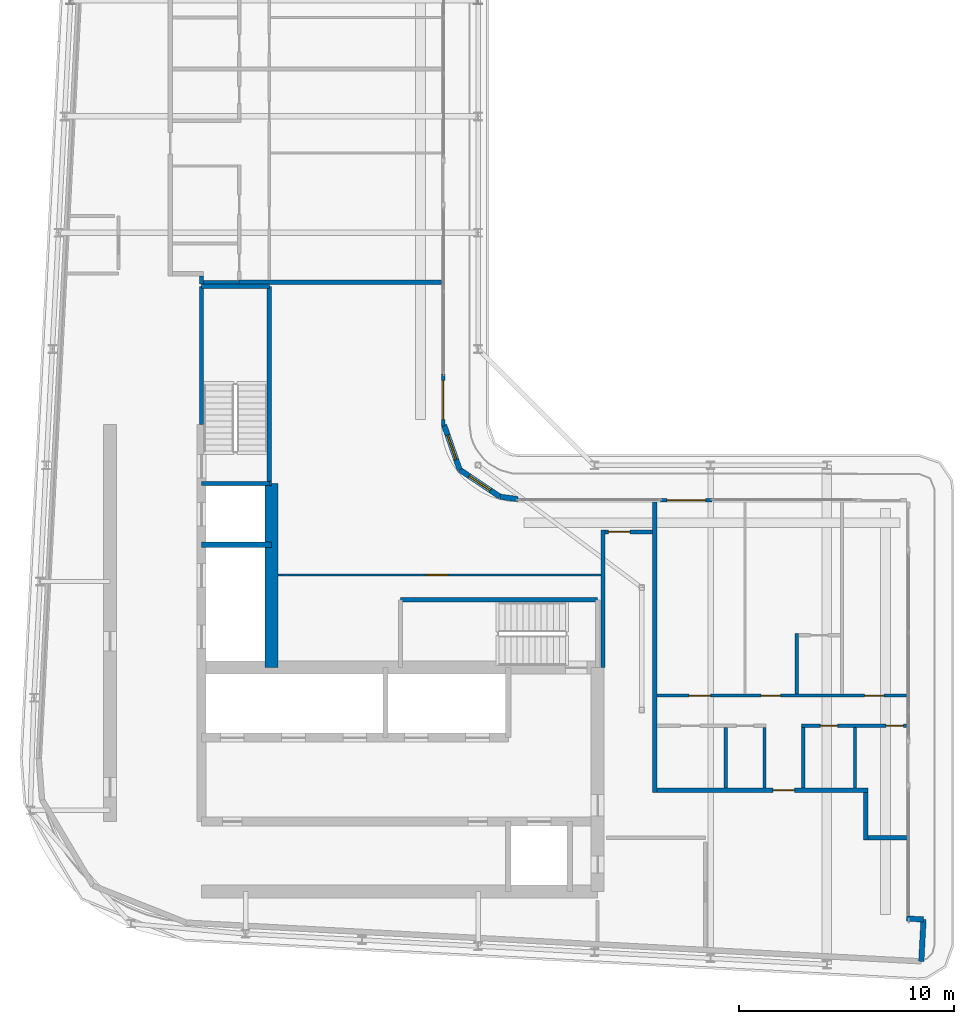
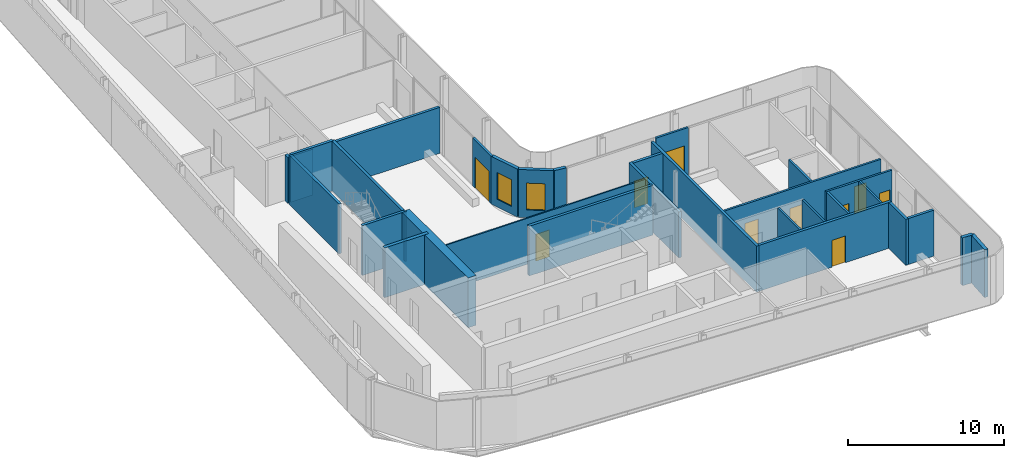
# One storey, part 12 of 21: 32 walls, 10 doors, 2 windows, 12 openings.
"""IFC4 building model written with IfcOpenShell, lengths in metres."""

import ifcopenshell
import ifcopenshell.guid

model = None  # the IFC model being written
_history = None  # IfcOwnerHistory: only IFC2X3 demands one
_inside = {}  # id of a spatial element -> (the spatial element, [elements in it])
_under = {}  # id of a project, library or spatial element -> (it, [spatial elements below it])
_declared = {}  # id of a project -> (the project, [libraries it declares])
_typed = {}  # id of a type object -> (the type object, [elements of that type])
_made_of = {}  # id of a material, layer set ... -> (it, [elements and type objects made of it])


def new_model(schema):
    """Start an empty IFC model of exactly this schema.

    Asked for "IFC4X3", IfcOpenShell would pick the latest addendum, in which some entities
    have other attributes; the version numbers below select the first issue.
    IFC2X3 requires an IfcOwnerHistory on every rooted entity: one is made here for all.
    """
    global model, _history
    if schema == "IFC4X3":
        model = ifcopenshell.file(schema_version=(4, 3, 0, 0))
    else:
        model = ifcopenshell.file(schema=schema)
    _inside.clear()
    _under.clear()
    _declared.clear()
    _typed.clear()
    _made_of.clear()
    _history = None
    if model.schema == "IFC2X3":
        org = make("IfcOrganization", Name="unknown")
        user = make(
            "IfcPersonAndOrganization",
            ThePerson=make("IfcPerson", FamilyName="unknown"),
            TheOrganization=org,
        )
        app = make(
            "IfcApplication",
            ApplicationDeveloper=org,
            Version="unknown",
            ApplicationFullName="unknown",
            ApplicationIdentifier="unknown",
        )
        _history = make(
            "IfcOwnerHistory",
            OwningUser=user,
            OwningApplication=app,
            ChangeAction="ADDED",
            CreationDate=0,
        )
    return model


def make(cls, **values):
    """One entity of the class cls with the attributes given. An attribute that is None is left unset."""
    return model.create_entity(
        cls, **{name: value for name, value in values.items() if value is not None}
    )


def rooted(cls, **values):
    """An entity with a GlobalId (a new one), such as an element, a storey or a relation."""
    return make(cls, GlobalId=ifcopenshell.guid.new(), OwnerHistory=_history, **values)


def si_unit(unit_type, name, prefix=None):
    """IfcSIUnit, for example si_unit("LENGTHUNIT", "METRE", prefix="MILLI")."""
    return make("IfcSIUnit", UnitType=unit_type, Prefix=prefix, Name=name)


def assignment(units):
    """IfcUnitAssignment: the units of a project."""
    return None if units is None else make("IfcUnitAssignment", Units=units)


def point(xyz):
    """IfcCartesianPoint."""
    return None if xyz is None else make("IfcCartesianPoint", Coordinates=xyz)


def direction(xyz):
    """IfcDirection."""
    return None if xyz is None else make("IfcDirection", DirectionRatios=xyz)


def frame(location, z_axis=None, x_axis=None):
    """IfcAxis2Placement3D, a coordinate frame: its origin and axes. An axis left out is left unset."""
    return make(
        "IfcAxis2Placement3D",
        Location=point(location),
        Axis=direction(z_axis),
        RefDirection=direction(x_axis),
    )


def frame_2d(location, x_axis=None):
    """IfcAxis2Placement2D, a coordinate frame in the plane: its origin and x axis."""
    return make(
        "IfcAxis2Placement2D", Location=point(location), RefDirection=direction(x_axis)
    )


def origin():
    """The frame at (0, 0, 0) with its axes left unset."""
    return frame((0.0, 0.0, 0.0))


def place(relative_to, where):
    """IfcLocalPlacement: puts the frame where relative to a parent placement (None: the world)."""
    return make(
        "IfcLocalPlacement", PlacementRelTo=relative_to, RelativePlacement=where
    )


def context(
    kind, dimensions, precision=None, world=None, true_north=None, identifier=None
):
    """IfcGeometricRepresentationContext, for example the 3D "Model" context."""
    return make(
        "IfcGeometricRepresentationContext",
        ContextIdentifier=identifier,
        ContextType=kind,
        CoordinateSpaceDimension=dimensions,
        Precision=precision,
        WorldCoordinateSystem=world,
        TrueNorth=true_north,
    )


def subcontext(parent, identifier, kind, view, scale=None):
    """IfcGeometricRepresentationSubContext, for example "Body" below "Model"."""
    return make(
        "IfcGeometricRepresentationSubContext",
        ContextIdentifier=identifier,
        ContextType=kind,
        ParentContext=parent,
        TargetScale=scale,
        TargetView=view,
    )


def project(units=None, contexts=None):
    """IfcProject with its units and contexts."""
    return rooted(
        "IfcProject",
        Name="project",
        RepresentationContexts=contexts,
        UnitsInContext=assignment(units),
    )


def spatial(cls, under=None, at=None, **own):
    """A site, building, storey or space (cls), placed at a placement, below another one or the project."""
    s = rooted(cls, ObjectPlacement=at, **own)
    if under is not None:
        _under.setdefault(under.id(), (under, []))[1].append(s)
    return s


def profile(cls, at=None, kind="AREA", **sizes):
    """A parametric profile (cls). Its sizes go by their IFC names, for example OverallWidth=200.0."""
    return make(cls, ProfileType=kind, Position=at, **sizes)


def rectangle(**sizes):
    """IfcRectangleProfileDef."""
    return profile("IfcRectangleProfileDef", **sizes)


def extrude(swept, where, along, depth):
    """IfcExtrudedAreaSolid: the profile swept, set in the frame where, extruded along a direction by depth."""
    return make(
        "IfcExtrudedAreaSolid",
        SweptArea=swept,
        Position=where,
        ExtrudedDirection=direction(along),
        Depth=depth,
    )


def shape(context_of_items, identifier, shape_type, items):
    """IfcShapeRepresentation: the items that make up one representation, for example the "Body"."""
    return make(
        "IfcShapeRepresentation",
        ContextOfItems=context_of_items,
        RepresentationIdentifier=identifier,
        RepresentationType=shape_type,
        Items=items,
    )


def source(mapping_origin, context_of_items, identifier, shape_type, items):
    """IfcRepresentationMap: a shape defined once, which mapped items show again and again."""
    return make(
        "IfcRepresentationMap",
        MappingOrigin=mapping_origin,
        MappedRepresentation=shape(context_of_items, identifier, shape_type, items),
    )


def transform(
    local_origin,
    x_axis=None,
    y_axis=None,
    z_axis=None,
    scale=None,
    scale2=None,
    scale3=None,
    uniform=True,
):
    """IfcCartesianTransformationOperator3D, or its non-uniform kind. x_axis, y_axis, z_axis: its Axis1, 2, 3."""
    if uniform:
        return make(
            "IfcCartesianTransformationOperator3D",
            Axis1=direction(x_axis),
            Axis2=direction(y_axis),
            LocalOrigin=point(local_origin),
            Scale=scale,
            Axis3=direction(z_axis),
        )
    return make(
        "IfcCartesianTransformationOperator3DnonUniform",
        Axis1=direction(x_axis),
        Axis2=direction(y_axis),
        LocalOrigin=point(local_origin),
        Scale=scale,
        Axis3=direction(z_axis),
        Scale2=scale2,
        Scale3=scale3,
    )


def mapped(mapping_source, mapping_target):
    """IfcMappedItem: shows the shape of a source again, moved by a transform."""
    return make(
        "IfcMappedItem", MappingSource=mapping_source, MappingTarget=mapping_target
    )


def material(Name=None, Category=None):
    """IfcMaterial."""
    return make("IfcMaterial", Name=Name, Category=Category)


def layer(
    of_material, thickness, ventilated=None, Name=None, Category=None, Priority=None
):
    """IfcMaterialLayer: one layer of a wall or slab, of a material (None: an air gap)."""
    return make(
        "IfcMaterialLayer",
        Material=of_material,
        LayerThickness=thickness,
        IsVentilated=ventilated,
        Name=Name,
        Category=Category,
        Priority=Priority,
    )


def layer_set(layers, Name=None):
    """IfcMaterialLayerSet."""
    return make("IfcMaterialLayerSet", MaterialLayers=layers, LayerSetName=Name)


def made_of(thing, what):
    """Note that an element or type object is made of a material, layer set ...; save() writes the relation."""
    if what is not None:
        _made_of.setdefault(what.id(), (what, []))[1].append(thing)
    return thing


def type_object(cls, material=None, **own):
    """A type object (cls), such as IfcWallType, which elements share."""
    return made_of(rooted(cls, **own), material)


def element(
    cls,
    number,
    at=None,
    inside=None,
    cuts=None,
    type_object=None,
    material=None,
    context=None,
    identifier="Body",
    shape_type=None,
    held_by="IfcProductDefinitionShape",
    body=None,
    shapes=None,
    **own,
):
    """One element of the class cls, such as IfcWall. Its Tag is "e" and its number.

    at: its placement. inside: the storey or other place that contains it. cuts: it is an
    opening in that element (IfcRelVoidsElement). A single representation is given by context,
    identifier, shape_type and body (its items); several are given by shapes. held_by: the class
    of the entity that holds the representations. save() writes the other relations.
    """
    e = rooted(cls, Tag="e%d" % number, ObjectPlacement=at, **own)
    if body is not None:
        shapes = [shape(context, identifier, shape_type, body)]
    if shapes is not None:
        e.Representation = make(held_by, Representations=shapes)
    if inside is not None:
        _inside.setdefault(inside.id(), (inside, []))[1].append(e)
    if cuts is not None:
        rooted(
            "IfcRelVoidsElement", RelatingBuildingElement=cuts, RelatedOpeningElement=e
        )
    if type_object is not None:
        _typed.setdefault(type_object.id(), (type_object, []))[1].append(e)
    return made_of(e, material)


def fill(opening, filler):
    """IfcRelFillsElement: the door or window that sits in an opening."""
    return rooted(
        "IfcRelFillsElement",
        RelatingOpeningElement=opening,
        RelatedBuildingElement=filler,
    )


def aggregate(whole, parts):
    """IfcRelAggregates: a whole, such as a stair, and the parts it consists of."""
    return rooted("IfcRelAggregates", RelatingObject=whole, RelatedObjects=parts)


def save(model, path):
    """Write the relations noted so far, then the file.

    IfcRelAggregates (storeys below a building ...), IfcRelContainedInSpatialStructure (elements
    in a storey), IfcRelDefinesByType, IfcRelAssociatesMaterial and IfcRelDeclares: one each for
    every whole, place, type object, material and project.
    """
    for whole, parts in _under.values():
        aggregate(whole, parts)
    for where, things in _inside.values():
        rooted(
            "IfcRelContainedInSpatialStructure",
            RelatedElements=things,
            RelatingStructure=where,
        )
    for kind, things in _typed.values():
        rooted("IfcRelDefinesByType", RelatedObjects=things, RelatingType=kind)
    for what, things in _made_of.values():
        rooted("IfcRelAssociatesMaterial", RelatedObjects=things, RelatingMaterial=what)
    for by, libraries in _declared.values():
        rooted("IfcRelDeclares", RelatingContext=by, RelatedDefinitions=libraries)
    model.write(path)


model = new_model("IFC4")

# Units and contexts
model_context = context("Model", 3, precision=1e-05, world=origin(), true_north=direction((0.0, 1.0)))
body_context = subcontext(model_context, "Body", "Model", "MODEL_VIEW")
ifc_project = project(units=[si_unit("LENGTHUNIT", "METRE"), si_unit("AREAUNIT", "SQUARE_METRE"), si_unit("VOLUMEUNIT", "CUBIC_METRE"), si_unit("PLANEANGLEUNIT", "RADIAN"), si_unit("MASSUNIT", "GRAM", prefix="KILO")], contexts=[model_context])

# Site, building, storey
site_placement = place(None, origin())
site = spatial("IfcSite", under=ifc_project, at=site_placement, CompositionType="ELEMENT")
building_placement = place(site_placement, origin())
building = spatial("IfcBuilding", under=site, at=building_placement, Name="Kheshtan School and Residences Tower", CompositionType="ELEMENT")
storey_placement = place(building_placement, frame((0.0, 0.0, 294.199951171875)))
storey = spatial("IfcBuildingStorey", under=building, at=storey_placement, Name="L69", CompositionType="ELEMENT", Elevation=294.199951171875)

# Walls
ifc_material_1 = material(Name="Concrete C60/75", Category="concrete")
ifc_layer_1 = layer(ifc_material_1, 0.60009765625)
ifc_layer_set_1 = layer_set([ifc_layer_1], Name="Core wall 600 Concrete C60/75")
wall_type_1 = type_object("IfcWallType", Name="Core wall 600 Concrete C60/75", PredefinedType="SHEAR", material=ifc_layer_set_1)
wall_1_placement = place(storey_placement, frame((38.0, 36.199951171875, 0.0), z_axis=(0.0, 0.0, 1.0), x_axis=(0.0, 1.0, 0.0)))
element("IfcWall", 1, at=wall_1_placement, inside=storey, type_object=wall_type_1, Name="Core wall CW-FRONT-W", PredefinedType="SHEAR", context=body_context, shape_type="SweptSolid", body=[
    extrude(rectangle(XDim=8.550048828125, YDim=0.60009765625, at=frame_2d((4.27490234375, 0.0))), origin(), (0.0, 0.0, 1.0), 3.900146484375),
])
ifc_material_2 = material(Name="Gypsum board on steel studs with fire boards", Category="steel")
ifc_layer_2 = layer(ifc_material_2, 0.199951171875)
ifc_layer_set_2 = layer_set([ifc_layer_2], Name="Corridor wall 200")
wall_type_2 = type_object("IfcWallType", Name="Corridor wall 200", PredefinedType="PARTITIONING", material=ifc_layer_set_2)
wall_2_placement = place(storey_placement, frame((34.75, 54.02490234375, 0.0), z_axis=(0.0, 0.0, 1.0), x_axis=(0.0, 1.0, 0.0)))
element("IfcWall", 2, at=wall_2_placement, inside=storey, type_object=wall_type_2, Name="Partition L69-018", PredefinedType="PARTITIONING", context=body_context, shape_type="SweptSolid", body=[
    extrude(rectangle(XDim=0.375, YDim=0.199951171875, at=frame_2d((0.1875, 0.0))), origin(), (0.0, 0.0, 1.0), 3.60009765625),
])
wall_3_placement = place(storey_placement, frame((53.39990234375, 36.198974609375, 0.0), z_axis=(0.0, 0.0, 1.0), x_axis=(0.0, 1.0, 0.0)))
element("IfcWall", 3, at=wall_3_placement, inside=storey, type_object=wall_type_2, Name="Partition L69-040", PredefinedType="PARTITIONING", context=body_context, shape_type="SweptSolid", body=[
    extrude(rectangle(XDim=6.401123046875, YDim=0.199951171875, at=frame_2d((3.20068359375, 0.0))), origin(), (0.0, 0.0, 1.0), 3.60009765625),
])

# Wall, opening, door
wall_4_placement = place(storey_placement, frame((53.5, 42.5, 0.0), z_axis=(0.0, 0.0, 1.0), x_axis=(1.0, 0.0, 0.0)))
wall_4 = element("IfcWall", 4, at=wall_4_placement, inside=storey, type_object=wall_type_2, Name="Partition L69-041", PredefinedType="PARTITIONING", context=body_context, shape_type="SweptSolid", body=[
    extrude(rectangle(XDim=2.199951171875, YDim=0.199951171875, at=frame_2d((1.10009765625, 0.0))), origin(), (0.0, 0.0, 1.0), 3.60009765625),
])
opening_1_placement = place(wall_4_placement, frame((0.14990234375, 0.0, 0.0)))
opening_1 = element("IfcOpeningElement", 5, at=opening_1_placement, cuts=wall_4, Name="Opening D68-038", PredefinedType="OPENING", context=body_context, shape_type="SweptSolid", body=[
    extrude(rectangle(XDim=1.0, YDim=2.10009765625, at=frame_2d((0.5, 1.050048828125))), frame((0.0, 0.10986328125, 0.0), z_axis=(0.0, -1.0, 0.0), x_axis=(1.0, 0.0, 0.0)), (0.0, 0.0, 1.0), 0.219970703125),
])
ifc_material_3 = material(Name="Steel-framed fire-resisting door leaf", Category="steel")
door_type_1 = type_object("IfcDoorType", Name="Fire door FD60 1000 x 2100", OperationType="SINGLE_SWING_LEFT", PredefinedType="DOOR", material=ifc_material_3)
shared_shape_1 = source(origin(), body_context, "Body", "SweptSolid", [
    extrude(rectangle(XDim=1.0, YDim=2.10009765625, at=frame_2d((0.5, 1.050048828125))), frame((0.0, 0.02490234375, 0.0), z_axis=(0.0, -1.0, 0.0), x_axis=(1.0, 0.0, 0.0)), (0.0, 0.0, 1.0), 0.050048828125),
])
door_1_placement = place(opening_1_placement, origin())
door_1 = element("IfcDoor", 6, at=door_1_placement, inside=storey, type_object=door_type_1, Name="Door D68-038", OperationType="SINGLE_SWING_RIGHT", OverallHeight=2.10009765625, OverallWidth=1.0, PredefinedType="DOOR", context=body_context, shape_type="MappedRepresentation", body=[
    mapped(shared_shape_1, transform((0.0, 0.0, 0.0), x_axis=(1.0, 0.0, 0.0), y_axis=(0.0, 1.0, 0.0), z_axis=(0.0, 0.0, 1.0), scale=1.0)),
])
fill(opening_1, door_1)

wall_5_placement = place(storey_placement, frame((55.89990234375, 30.5, 0.0), z_axis=(0.0, 0.0, 1.0), x_axis=(1.0, 0.0, 0.0)))
wall_5 = element("IfcWall", 7, at=wall_5_placement, inside=storey, type_object=wall_type_2, Name="Partition L69-043", PredefinedType="PARTITIONING", context=body_context, shape_type="SweptSolid", body=[
    extrude(rectangle(XDim=9.800048828125, YDim=0.199951171875, at=frame_2d((4.89990234375, 0.0))), origin(), (0.0, 0.0, 1.0), 3.60009765625),
])
opening_2_placement = place(wall_5_placement, frame((5.39990234375, 0.0, 0.0)))
opening_2 = element("IfcOpeningElement", 8, at=opening_2_placement, cuts=wall_5, Name="Opening D68-005", PredefinedType="OPENING", context=body_context, shape_type="SweptSolid", body=[
    extrude(rectangle(XDim=1.0, YDim=2.10009765625, at=frame_2d((0.5, 1.050048828125))), frame((0.0, 0.10986328125, 0.0), z_axis=(0.0, -1.0, 0.0), x_axis=(1.0, 0.0, 0.0)), (0.0, 0.0, 1.0), 0.219970703125),
])
door_type_2 = type_object("IfcDoorType", Name="Fire door FD30S 1000 x 2100", OperationType="SINGLE_SWING_LEFT", PredefinedType="DOOR", material=ifc_material_3)
shared_shape_2 = source(origin(), body_context, "Body", "SweptSolid", [
    extrude(rectangle(XDim=1.0, YDim=2.10009765625, at=frame_2d((0.5, 1.050048828125))), frame((0.0, 0.02490234375, 0.0), z_axis=(0.0, -1.0, 0.0), x_axis=(1.0, 0.0, 0.0)), (0.0, 0.0, 1.0), 0.050048828125),
])
door_2_placement = place(opening_2_placement, origin())
door_2 = element("IfcDoor", 9, at=door_2_placement, inside=storey, type_object=door_type_2, Name="Door D68-005", OperationType="SINGLE_SWING_RIGHT", OverallHeight=2.10009765625, OverallWidth=1.0, PredefinedType="DOOR", context=body_context, shape_type="MappedRepresentation", body=[
    mapped(shared_shape_2, transform((0.0, 0.0, 0.0), x_axis=(1.0, 0.0, 0.0), y_axis=(0.0, 1.0, 0.0), z_axis=(0.0, 0.0, 1.0), scale=1.0)),
])
fill(opening_2, door_2)

# Walls
wall_6_placement = place(storey_placement, frame((65.60009765625, 28.199951171875, 0.0), z_axis=(0.0, 0.0, 1.0), x_axis=(0.0, 1.0, 0.0)))
element("IfcWall", 10, at=wall_6_placement, inside=storey, type_object=wall_type_2, Name="Partition L69-055", PredefinedType="PARTITIONING", context=body_context, shape_type="SweptSolid", body=[
    extrude(rectangle(XDim=2.199951171875, YDim=0.199951171875, at=frame_2d((1.10009765625, 0.0))), origin(), (0.0, 0.0, 1.0), 3.60009765625),
])
wall_7_placement = place(storey_placement, frame((65.699951171875, 28.300048828125, 0.0), z_axis=(0.0, 0.0, 1.0), x_axis=(1.0, 0.0, 0.0)))
element("IfcWall", 11, at=wall_7_placement, inside=storey, type_object=wall_type_2, Name="Partition L69-056", PredefinedType="PARTITIONING", context=body_context, shape_type="SweptSolid", body=[
    extrude(rectangle(XDim=1.8701171875, YDim=0.199951171875, at=frame_2d((0.93505859375, 0.0))), origin(), (0.0, 0.0, 1.0), 3.60009765625),
])

# Wall, opening, window
ifc_material_4 = material(Name="Concrete C40/50 with ceramic cladding and mineral wool insulation", Category="concrete")
ifc_layer_3 = layer(ifc_material_4, 0.25)
ifc_layer_set_3 = layer_set([ifc_layer_3], Name="External wall 250 ceramic clad")
wall_type_3 = type_object("IfcWallType", Name="External wall 250 ceramic clad", PredefinedType="SOLIDWALL", material=ifc_layer_set_3)
wall_8_placement = place(storey_placement, frame((46.01806640625, 47.470947265625, 0.0), z_axis=(0.0, 0.0, 1.0), x_axis=(0.328791208903, -0.944402637093, 0.0)))
wall_8 = element("IfcWall", 12, at=wall_8_placement, inside=storey, type_object=wall_type_3, Name="External wall L69 9", PredefinedType="SOLIDWALL", context=body_context, shape_type="SweptSolid", body=[
    extrude(rectangle(XDim=2.20458984375, YDim=0.25, at=frame_2d((1.102294921875, 0.0))), origin(), (0.0, 0.0, 1.0), 3.75),
])
opening_3_placement = place(wall_8_placement, frame((0.5029296875, 0.0, 0.60009765625)))
opening_3 = element("IfcOpeningElement", 13, at=opening_3_placement, cuts=wall_8, Name="Opening WN-E", PredefinedType="OPENING", context=body_context, shape_type="SweptSolid", body=[
    extrude(rectangle(XDim=1.199951171875, YDim=2.10009765625, at=frame_2d((0.60009765625, 1.050048828125))), frame((0.0, 0.135009765625, 0.0), z_axis=(0.0, -1.0, 0.0), x_axis=(1.0, 0.0, 0.0)), (0.0, 0.0, 1.0), 0.27001953125),
])
ifc_material_5 = material(Name="Clear low-e glass in thermally broken aluminium frame", Category="aluminium")
window_type = type_object("IfcWindowType", Name="Window WN-E", PartitioningType="SINGLE_PANEL", PredefinedType="WINDOW", material=ifc_material_5)
shared_shape_3 = source(origin(), body_context, "Body", "SweptSolid", [
    extrude(rectangle(XDim=1.199951171875, YDim=2.10009765625, at=frame_2d((0.60009765625, 1.050048828125))), frame((0.0, 0.030029296875, 0.0), z_axis=(0.0, -1.0, 0.0), x_axis=(1.0, 0.0, 0.0)), (0.0, 0.0, 1.0), 0.06005859375),
])
window_1_placement = place(opening_3_placement, origin())
window_1 = element("IfcWindow", 14, at=window_1_placement, inside=storey, type_object=window_type, Name="Window L69 9", OverallHeight=2.10009765625, OverallWidth=1.199951171875, PartitioningType="SINGLE_PANEL", PredefinedType="WINDOW", context=body_context, shape_type="MappedRepresentation", body=[
    mapped(shared_shape_3, transform((0.0, 0.0, 0.0), x_axis=(1.0, 0.0, 0.0), y_axis=(0.0, 1.0, 0.0), z_axis=(0.0, 0.0, 1.0), scale=1.0)),
])
fill(opening_3, window_1)

wall_9_placement = place(storey_placement, frame((46.742919921875, 45.388916015625, 0.0), z_axis=(0.0, 0.0, 1.0), x_axis=(0.831449265529, -0.555600682912, 0.0)))
wall_9 = element("IfcWall", 15, at=wall_9_placement, inside=storey, type_object=wall_type_3, Name="External wall L69 10", PredefinedType="SOLIDWALL", context=body_context, shape_type="SweptSolid", body=[
    extrude(rectangle(XDim=2.25146484375, YDim=0.25, at=frame_2d((1.125732421875, 0.0))), origin(), (0.0, 0.0, 1.0), 3.75),
])
opening_4_placement = place(wall_9_placement, frame((0.52490234375, 0.0, 0.60009765625)))
opening_4 = element("IfcOpeningElement", 16, at=opening_4_placement, cuts=wall_9, Name="Opening WN-E", PredefinedType="OPENING", context=body_context, shape_type="SweptSolid", body=[
    extrude(rectangle(XDim=1.199951171875, YDim=2.10009765625, at=frame_2d((0.60009765625, 1.050048828125))), frame((0.0, 0.135009765625, 0.0), z_axis=(0.0, -1.0, 0.0), x_axis=(1.0, 0.0, 0.0)), (0.0, 0.0, 1.0), 0.27001953125),
])
window_2_placement = place(opening_4_placement, origin())
window_2 = element("IfcWindow", 17, at=window_2_placement, inside=storey, type_object=window_type, Name="Window L69 10", OverallHeight=2.10009765625, OverallWidth=1.199951171875, PartitioningType="SINGLE_PANEL", PredefinedType="WINDOW", context=body_context, shape_type="MappedRepresentation", body=[
    mapped(shared_shape_3, transform((0.0, 0.0, 0.0), x_axis=(1.0, 0.0, 0.0), y_axis=(0.0, 1.0, 0.0), z_axis=(0.0, 0.0, 1.0), scale=1.0)),
])
fill(opening_4, window_2)

# Walls
wall_10_placement = place(storey_placement, frame((48.614990234375, 44.137939453125, 0.0), z_axis=(0.0, 0.0, 1.0), x_axis=(0.990741504246, -0.135761819977, 0.0)))
element("IfcWall", 18, at=wall_10_placement, inside=storey, type_object=wall_type_3, Name="External wall L69 11", PredefinedType="SOLIDWALL", context=body_context, shape_type="SweptSolid", body=[
    extrude(rectangle(XDim=0.83984375, YDim=0.25, at=frame_2d((0.419921875, 0.0))), origin(), (0.0, 0.0, 1.0), 3.75),
])
wall_11_placement = place(storey_placement, frame((67.507080078125, 24.5439453125, 0.0), z_axis=(0.0, 0.0, 1.0), x_axis=(0.998561284263, -0.053622398031, 0.0)))
element("IfcWall", 19, at=wall_11_placement, inside=storey, type_object=wall_type_3, Name="External wall L69 14", PredefinedType="SOLIDWALL", context=body_context, shape_type="SweptSolid", body=[
    extrude(rectangle(XDim=0.783203125, YDim=0.25, at=frame_2d((0.3916015625, 0.0))), origin(), (0.0, 0.0, 1.0), 3.75),
])
wall_12_placement = place(storey_placement, frame((68.2890625, 24.501953125, 0.0), z_axis=(0.0, 0.0, 1.0), x_axis=(-0.052841433274, -0.998602915542, 0.0)))
element("IfcWall", 20, at=wall_12_placement, inside=storey, type_object=wall_type_3, Name="External wall L69 15", PredefinedType="SOLIDWALL", context=body_context, shape_type="SweptSolid", body=[
    extrude(rectangle(XDim=1.94970703125, YDim=0.25, at=frame_2d((0.974853515625, 0.0))), origin(), (0.0, 0.0, 1.0), 3.75),
])

# Wall, opening, door
ifc_material_6 = material(Name="Aluminium frame wall with insulated infill", Category="aluminium")
ifc_layer_4 = layer(ifc_material_6, 0.14990234375)
ifc_layer_set_4 = layer_set([ifc_layer_4], Name="Glazing frame wall 150")
wall_type_4 = type_object("IfcWallType", Name="Glazing frame wall 150", PredefinedType="SOLIDWALL", material=ifc_layer_set_4)
wall_13_placement = place(storey_placement, frame((45.97509765625, 49.830078125, 0.0), z_axis=(0.0, 0.0, 1.0), x_axis=(0.0, -1.0, 0.0)))
wall_13 = element("IfcWall", 21, at=wall_13_placement, inside=storey, type_object=wall_type_4, Name="Balcony door wall L69 8.5", PredefinedType="SOLIDWALL", context=body_context, shape_type="SweptSolid", body=[
    extrude(rectangle(XDim=2.400146484375, YDim=0.14990234375, at=frame_2d((1.2001953125, 0.0))), origin(), (0.0, 0.0, 1.0), 3.75),
])
opening_5_placement = place(wall_13_placement, frame((0.300048828125, 0.0, 0.0)))
opening_5 = element("IfcOpeningElement", 22, at=opening_5_placement, cuts=wall_13, Name="Opening BD", PredefinedType="OPENING", context=body_context, shape_type="SweptSolid", body=[
    extrude(rectangle(XDim=1.800048828125, YDim=2.39990234375, at=frame_2d((0.89990234375, 1.199951171875))), frame((0.0, 0.0849609375, 0.0), z_axis=(0.0, -1.0, 0.0), x_axis=(1.0, 0.0, 0.0)), (0.0, 0.0, 1.0), 0.169921875),
])
door_type_3 = type_object("IfcDoorType", Name="Balcony sliding door", OperationType="SLIDING_TO_LEFT", PredefinedType="DOOR", material=ifc_material_5)
shared_shape_4 = source(origin(), body_context, "Body", "SweptSolid", [
    extrude(rectangle(XDim=1.800048828125, YDim=2.39990234375, at=frame_2d((0.89990234375, 1.199951171875))), frame((0.0, 0.02490234375, 0.0), z_axis=(0.0, -1.0, 0.0), x_axis=(1.0, 0.0, 0.0)), (0.0, 0.0, 1.0), 0.050048828125),
])
door_3_placement = place(opening_5_placement, origin())
door_3 = element("IfcDoor", 23, at=door_3_placement, inside=storey, type_object=door_type_3, Name="Balcony door L69 8.5", OperationType="SLIDING_TO_LEFT", OverallHeight=2.39990234375, OverallWidth=1.800048828125, PredefinedType="DOOR", context=body_context, shape_type="MappedRepresentation", body=[
    mapped(shared_shape_4, transform((0.0, 0.0, 0.0), x_axis=(1.0, 0.0, 0.0), y_axis=(0.0, 1.0, 0.0), z_axis=(0.0, 0.0, 1.0), scale=1.0)),
])
fill(opening_5, door_3)

wall_14_placement = place(storey_placement, frame((56.06494140625, 43.97509765625, 0.0), z_axis=(0.0, 0.0, 1.0), x_axis=(1.0, 0.0, 0.0)))
wall_14 = element("IfcWall", 24, at=wall_14_placement, inside=storey, type_object=wall_type_4, Name="Balcony door wall L69 12.1", PredefinedType="SOLIDWALL", context=body_context, shape_type="SweptSolid", body=[
    extrude(rectangle(XDim=2.400146484375, YDim=0.14990234375, at=frame_2d((1.2001953125, 0.0))), origin(), (0.0, 0.0, 1.0), 3.75),
])
opening_6_placement = place(wall_14_placement, frame((0.300048828125, 0.0, 0.0)))
opening_6 = element("IfcOpeningElement", 25, at=opening_6_placement, cuts=wall_14, Name="Opening BD", PredefinedType="OPENING", context=body_context, shape_type="SweptSolid", body=[
    extrude(rectangle(XDim=1.800048828125, YDim=2.39990234375, at=frame_2d((0.89990234375, 1.199951171875))), frame((0.0, 0.0849609375, 0.0), z_axis=(0.0, -1.0, 0.0), x_axis=(1.0, 0.0, 0.0)), (0.0, 0.0, 1.0), 0.169921875),
])
door_4_placement = place(opening_6_placement, origin())
door_4 = element("IfcDoor", 26, at=door_4_placement, inside=storey, type_object=door_type_3, Name="Balcony door L69 12.1", OperationType="SLIDING_TO_LEFT", OverallHeight=2.39990234375, OverallWidth=1.800048828125, PredefinedType="DOOR", context=body_context, shape_type="MappedRepresentation", body=[
    mapped(shared_shape_4, transform((0.0, 0.0, 0.0), x_axis=(1.0, 0.0, 0.0), y_axis=(0.0, 1.0, 0.0), z_axis=(0.0, 0.0, 1.0), scale=1.0)),
])
fill(opening_6, door_4)

ifc_material_7 = material(Name="Gypsum board on steel studs", Category="steel")
ifc_layer_5 = layer(ifc_material_7, 0.10009765625)
ifc_layer_set_5 = layer_set([ifc_layer_5], Name="Gypsum partition 100")
wall_type_5 = type_object("IfcWallType", Name="Gypsum partition 100", PredefinedType="PARTITIONING", material=ifc_layer_set_5)
wall_15_placement = place(storey_placement, frame((38.299072265625, 40.5, 0.0), z_axis=(0.0, 0.0, 1.0), x_axis=(1.0, 0.0, 0.0)))
wall_15 = element("IfcWall", 27, at=wall_15_placement, inside=storey, type_object=wall_type_5, Name="Partition L69-039", PredefinedType="PARTITIONING", context=body_context, shape_type="SweptSolid", body=[
    extrude(rectangle(XDim=15.0009765625, YDim=0.10009765625, at=frame_2d((7.50048828125, 0.0))), origin(), (0.0, 0.0, 1.0), 3.60009765625),
])
opening_7_placement = place(wall_15_placement, frame((6.90087890625, 0.0, 0.0)))
opening_7 = element("IfcOpeningElement", 28, at=opening_7_placement, cuts=wall_15, Name="Opening D68-037", PredefinedType="OPENING", context=body_context, shape_type="SweptSolid", body=[
    extrude(rectangle(XDim=1.0, YDim=2.10009765625, at=frame_2d((0.5, 1.050048828125))), frame((0.0, 0.06005859375, 0.0), z_axis=(0.0, -1.0, 0.0), x_axis=(1.0, 0.0, 0.0)), (0.0, 0.0, 1.0), 0.1201171875),
])
ifc_material_8 = material(Name="Veneered timber door leaf", Category="wood")
door_type_4 = type_object("IfcDoorType", Name="Door 1000 x 2100", OperationType="SINGLE_SWING_LEFT", PredefinedType="DOOR", material=ifc_material_8)
shared_shape_5 = source(origin(), body_context, "Body", "SweptSolid", [
    extrude(rectangle(XDim=1.0, YDim=2.10009765625, at=frame_2d((0.5, 1.050048828125))), frame((0.0, 0.02490234375, 0.0), z_axis=(0.0, -1.0, 0.0), x_axis=(1.0, 0.0, 0.0)), (0.0, 0.0, 1.0), 0.050048828125),
])
door_5_placement = place(opening_7_placement, origin())
door_5 = element("IfcDoor", 29, at=door_5_placement, inside=storey, type_object=door_type_4, Name="Door D68-037", OperationType="SINGLE_SWING_RIGHT", OverallHeight=2.10009765625, OverallWidth=1.0, PredefinedType="DOOR", context=body_context, shape_type="MappedRepresentation", body=[
    mapped(shared_shape_5, transform((0.0, 0.0, 0.0), x_axis=(1.0, 0.0, 0.0), y_axis=(0.0, 1.0, 0.0), z_axis=(0.0, 0.0, 1.0), scale=1.0)),
])
fill(opening_7, door_5)

# Walls
ifc_material_9 = material(Name="Fire-board shaft wall system")
ifc_layer_6 = layer(ifc_material_9, 0.25)
ifc_layer_set_6 = layer_set([ifc_layer_6], Name="Shaft lining wall 250")
wall_type_6 = type_object("IfcWallType", Name="Shaft lining wall 250", PredefinedType="PARTITIONING", material=ifc_layer_set_6)
wall_16_placement = place(storey_placement, frame((34.75, 41.89990234375, 0.0), z_axis=(0.0, 0.0, 1.0), x_axis=(1.0, 0.0, 0.0)))
element("IfcWall", 30, at=wall_16_placement, inside=storey, type_object=wall_type_6, Name="Shaft lining wall", PredefinedType="PARTITIONING", context=body_context, shape_type="SweptSolid", body=[
    extrude(rectangle(XDim=3.25, YDim=0.25, at=frame_2d((1.625, 0.0))), origin(), (0.0, 0.0, 1.0), 3.900146484375),
])
wall_17_placement = place(storey_placement, frame((37.89990234375, 44.75, 0.0), z_axis=(0.0, 0.0, 1.0), x_axis=(1.0, 0.0, 0.0)))
element("IfcWall", 31, at=wall_17_placement, inside=storey, type_object=wall_type_6, Name="Shaft lining wall", PredefinedType="PARTITIONING", context=body_context, shape_type="SweptSolid", body=[
    extrude(rectangle(XDim=0.10009765625, YDim=0.25, at=frame_2d((0.050048828125, 0.0))), origin(), (0.0, 0.0, 1.0), 3.900146484375),
])
ifc_material_10 = material(Name="Concrete C40/50", Category="concrete")
ifc_layer_7 = layer(ifc_material_10, 0.199951171875)
ifc_layer_set_7 = layer_set([ifc_layer_7], Name="Stair enclosure wall 200 Concrete C40/50")
wall_type_7 = type_object("IfcWallType", Name="Stair enclosure wall 200 Concrete C40/50", PredefinedType="SHEAR", material=ifc_layer_set_7)
wall_18_placement = place(storey_placement, frame((43.989990234375, 39.35009765625, 0.0), z_axis=(0.0, 0.0, 1.0), x_axis=(1.0, 0.0, 0.0)))
element("IfcWall", 32, at=wall_18_placement, inside=storey, type_object=wall_type_7, Name="Stair enclosure wall ST1", PredefinedType="SHEAR", context=body_context, shape_type="SweptSolid", body=[
    extrude(rectangle(XDim=9.159912109375, YDim=0.199951171875, at=frame_2d((4.580078125, 0.0))), origin(), (0.0, 0.0, 1.0), 3.900146484375),
])
for number, where, z_axis, x_axis, name in (
    (33, (34.75, 44.75, 0.0), (0.0, 0.0, 1.0), (1.0, 0.0, 0.0), "Stair enclosure wall ST2"),
    (34, (34.75, 53.909912109375, 0.0), (0.0, 0.0, 1.0), (1.0, 0.0, 0.0), "Stair enclosure wall ST2"),
):
    element("IfcWall", number, at=place(storey_placement, frame(where, z_axis=z_axis, x_axis=x_axis)), inside=storey, type_object=wall_type_7, Name=name, PredefinedType="SHEAR", context=body_context, shape_type="SweptSolid", body=[
        extrude(rectangle(XDim=3.14990234375, YDim=0.199951171875, at=frame_2d((1.574951171875, 0.0))), origin(), (0.0, 0.0, 1.0), 3.900146484375),
    ])
wall_19_placement = place(storey_placement, frame((34.75, 47.5, 0.0), z_axis=(0.0, 0.0, 1.0), x_axis=(0.0, 1.0, 0.0)))
element("IfcWall", 35, at=wall_19_placement, inside=storey, type_object=wall_type_7, Name="Stair enclosure wall ST2", PredefinedType="SHEAR", context=body_context, shape_type="SweptSolid", body=[
    extrude(rectangle(XDim=6.409912109375, YDim=0.199951171875, at=frame_2d((3.205078125, 0.0))), origin(), (0.0, 0.0, 1.0), 3.900146484375),
])
wall_20_placement = place(storey_placement, frame((37.89990234375, 44.75, 0.0), z_axis=(0.0, 0.0, 1.0), x_axis=(0.0, 1.0, 0.0)))
element("IfcWall", 36, at=wall_20_placement, inside=storey, type_object=wall_type_7, Name="Stair enclosure wall ST2", PredefinedType="SHEAR", context=body_context, shape_type="SweptSolid", body=[
    extrude(rectangle(XDim=9.159912109375, YDim=0.199951171875, at=frame_2d((4.580078125, 0.0))), origin(), (0.0, 0.0, 1.0), 3.900146484375),
])
ifc_material_11 = material(Name="Twin gypsum board on steel studs with mineral wool", Category="steel")
ifc_layer_8 = layer(ifc_material_11, 0.199951171875)
ifc_layer_set_8 = layer_set([ifc_layer_8], Name="Unit demising wall 200")
wall_type_8 = type_object("IfcWallType", Name="Unit demising wall 200", PredefinedType="PARTITIONING", material=ifc_layer_set_8)
wall_21_placement = place(storey_placement, frame((36.5, 54.10009765625, 0.0), z_axis=(0.0, 0.0, 1.0), x_axis=(1.0, 0.0, 0.0)))
element("IfcWall", 37, at=wall_21_placement, inside=storey, type_object=wall_type_8, Name="Partition L69-021", PredefinedType="PARTITIONING", context=body_context, shape_type="SweptSolid", body=[
    extrude(rectangle(XDim=9.39990234375, YDim=0.199951171875, at=frame_2d((4.699951171875, 0.0))), origin(), (0.0, 0.0, 1.0), 3.60009765625),
])
wall_22_placement = place(storey_placement, frame((55.800048828125, 30.39990234375, 0.0), z_axis=(0.0, 0.0, 1.0), x_axis=(0.0, 1.0, 0.0)))
element("IfcWall", 38, at=wall_22_placement, inside=storey, type_object=wall_type_8, Name="Partition L69-042", PredefinedType="PARTITIONING", context=body_context, shape_type="SweptSolid", body=[
    extrude(rectangle(XDim=13.5, YDim=0.199951171875, at=frame_2d((6.75, 0.0))), origin(), (0.0, 0.0, 1.0), 3.60009765625),
])
ifc_material_12 = material(Name="Moisture-resistant gypsum board on steel studs", Category="steel")
ifc_layer_9 = layer(ifc_material_12, 0.14990234375)
ifc_layer_set_9 = layer_set([ifc_layer_9], Name="Wet-room partition 150")
wall_type_9 = type_object("IfcWallType", Name="Wet-room partition 150", PredefinedType="PARTITIONING", material=ifc_layer_set_9)
wall_23_placement = place(storey_placement, frame((34.85009765625, 54.10009765625, 0.0), z_axis=(0.0, 0.0, 1.0), x_axis=(1.0, 0.0, 0.0)))
element("IfcWall", 39, at=wall_23_placement, inside=storey, type_object=wall_type_9, Name="Partition L69-019", PredefinedType="PARTITIONING", context=body_context, shape_type="SweptSolid", body=[
    extrude(rectangle(XDim=1.64990234375, YDim=0.14990234375, at=frame_2d((0.824951171875, 0.0))), origin(), (0.0, 0.0, 1.0), 3.60009765625),
])

# Wall, openings, doors
wall_24_placement = place(storey_placement, frame((55.89990234375, 34.89990234375, 0.0), z_axis=(0.0, 0.0, 1.0), x_axis=(1.0, 0.0, 0.0)))
wall_24 = element("IfcWall", 40, at=wall_24_placement, inside=storey, type_object=wall_type_9, Name="Partition L69-045", PredefinedType="PARTITIONING", context=body_context, shape_type="SweptSolid", body=[
    extrude(rectangle(XDim=11.60009765625, YDim=0.14990234375, at=frame_2d((5.800048828125, 0.0))), origin(), (0.0, 0.0, 1.0), 3.60009765625),
])
opening_8_placement = place(wall_24_placement, frame((9.64990234375, 0.0, 0.0)))
opening_8 = element("IfcOpeningElement", 41, at=opening_8_placement, cuts=wall_24, Name="Opening D68-002", PredefinedType="OPENING", context=body_context, shape_type="SweptSolid", body=[
    extrude(rectangle(XDim=0.89990234375, YDim=2.10009765625, at=frame_2d((0.449951171875, 1.050048828125))), frame((0.0, 0.0849609375, 0.0), z_axis=(0.0, -1.0, 0.0), x_axis=(1.0, 0.0, 0.0)), (0.0, 0.0, 1.0), 0.169921875),
])
opening_9_placement = place(wall_24_placement, frame((1.5, 0.0, 0.0)))
opening_9 = element("IfcOpeningElement", 42, at=opening_9_placement, cuts=wall_24, Name="Opening D68-007", PredefinedType="OPENING", context=body_context, shape_type="SweptSolid", body=[
    extrude(rectangle(XDim=1.0, YDim=2.10009765625, at=frame_2d((0.5, 1.050048828125))), frame((0.0, 0.0849609375, 0.0), z_axis=(0.0, -1.0, 0.0), x_axis=(1.0, 0.0, 0.0)), (0.0, 0.0, 1.0), 0.169921875),
])
opening_10_placement = place(wall_24_placement, frame((4.85009765625, 0.0, 0.0)))
opening_10 = element("IfcOpeningElement", 43, at=opening_10_placement, cuts=wall_24, Name="Opening D68-008", PredefinedType="OPENING", context=body_context, shape_type="SweptSolid", body=[
    extrude(rectangle(XDim=0.89990234375, YDim=2.10009765625, at=frame_2d((0.449951171875, 1.050048828125))), frame((0.0, 0.0849609375, 0.0), z_axis=(0.0, -1.0, 0.0), x_axis=(1.0, 0.0, 0.0)), (0.0, 0.0, 1.0), 0.169921875),
])
door_6_placement = place(opening_9_placement, origin())
door_6 = element("IfcDoor", 44, at=door_6_placement, inside=storey, type_object=door_type_4, Name="Door D68-007", OperationType="SINGLE_SWING_RIGHT", OverallHeight=2.10009765625, OverallWidth=1.0, PredefinedType="DOOR", context=body_context, shape_type="MappedRepresentation", body=[
    mapped(shared_shape_5, transform((0.0, 0.0, 0.0), x_axis=(1.0, 0.0, 0.0), y_axis=(0.0, 1.0, 0.0), z_axis=(0.0, 0.0, 1.0), scale=1.0)),
])
fill(opening_9, door_6)
door_type_5 = type_object("IfcDoorType", Name="Door 900 x 2100", OperationType="SINGLE_SWING_LEFT", PredefinedType="DOOR", material=ifc_material_8)
shared_shape_6 = source(origin(), body_context, "Body", "SweptSolid", [
    extrude(rectangle(XDim=0.89990234375, YDim=2.10009765625, at=frame_2d((0.449951171875, 1.050048828125))), frame((0.0, 0.02490234375, 0.0), z_axis=(0.0, -1.0, 0.0), x_axis=(1.0, 0.0, 0.0)), (0.0, 0.0, 1.0), 0.050048828125),
])
door_7_placement = place(opening_8_placement, origin())
door_7 = element("IfcDoor", 45, at=door_7_placement, inside=storey, type_object=door_type_5, Name="Door D68-002", OperationType="SINGLE_SWING_LEFT", OverallHeight=2.10009765625, OverallWidth=0.89990234375, PredefinedType="DOOR", context=body_context, shape_type="MappedRepresentation", body=[
    mapped(shared_shape_6, transform((0.0, 0.0, 0.0), x_axis=(1.0, 0.0, 0.0), y_axis=(0.0, 1.0, 0.0), z_axis=(0.0, 0.0, 1.0), scale=1.0)),
])
fill(opening_8, door_7)
door_8_placement = place(opening_10_placement, origin())
door_8 = element("IfcDoor", 46, at=door_8_placement, inside=storey, type_object=door_type_5, Name="Door D68-008", OperationType="SINGLE_SWING_LEFT", OverallHeight=2.10009765625, OverallWidth=0.89990234375, PredefinedType="DOOR", context=body_context, shape_type="MappedRepresentation", body=[
    mapped(shared_shape_6, transform((0.0, 0.0, 0.0), x_axis=(1.0, 0.0, 0.0), y_axis=(0.0, 1.0, 0.0), z_axis=(0.0, 0.0, 1.0), scale=1.0)),
])
fill(opening_10, door_8)

# Walls
for number, where, z_axis, x_axis, name in (
    (47, (59.10009765625, 30.60009765625, 0.0), (0.0, 0.0, 1.0), (0.0, 1.0, 0.0), "Partition L69-046"),
    (48, (60.89990234375, 30.60009765625, 0.0), (0.0, 0.0, 1.0), (0.0, 1.0, 0.0), "Partition L69-048"),
):
    element("IfcWall", number, at=place(storey_placement, frame(where, z_axis=z_axis, x_axis=x_axis)), inside=storey, type_object=wall_type_9, Name=name, PredefinedType="PARTITIONING", context=body_context, shape_type="SweptSolid", body=[
        extrude(rectangle(XDim=2.824951171875, YDim=0.14990234375, at=frame_2d((1.41259765625, 0.0))), origin(), (0.0, 0.0, 1.0), 3.60009765625),
    ])
wall_25_placement = place(storey_placement, frame((62.39990234375, 34.97509765625, 0.0), z_axis=(0.0, 0.0, 1.0), x_axis=(0.0, 1.0, 0.0)))
element("IfcWall", 49, at=wall_25_placement, inside=storey, type_object=wall_type_9, Name="Partition L69-049", PredefinedType="PARTITIONING", context=body_context, shape_type="SweptSolid", body=[
    extrude(rectangle(XDim=2.7998046875, YDim=0.14990234375, at=frame_2d((1.39990234375, 0.0))), origin(), (0.0, 0.0, 1.0), 3.60009765625),
])

# Wall, openings, doors
wall_26_placement = place(storey_placement, frame((62.625, 33.5, 0.0), z_axis=(0.0, 0.0, 1.0), x_axis=(1.0, 0.0, 0.0)))
wall_26 = element("IfcWall", 50, at=wall_26_placement, inside=storey, type_object=wall_type_9, Name="Partition L69-051", PredefinedType="PARTITIONING", context=body_context, shape_type="SweptSolid", body=[
    extrude(rectangle(XDim=4.875, YDim=0.14990234375, at=frame_2d((2.4375, 0.0))), origin(), (0.0, 0.0, 1.0), 3.60009765625),
])
opening_11_placement = place(wall_26_placement, frame((0.875, 0.0, 0.0)))
opening_11 = element("IfcOpeningElement", 51, at=opening_11_placement, cuts=wall_26, Name="Opening D68-001", PredefinedType="OPENING", context=body_context, shape_type="SweptSolid", body=[
    extrude(rectangle(XDim=0.800048828125, YDim=2.10009765625, at=frame_2d((0.39990234375, 1.050048828125))), frame((0.0, 0.0849609375, 0.0), z_axis=(0.0, -1.0, 0.0), x_axis=(1.0, 0.0, 0.0)), (0.0, 0.0, 1.0), 0.169921875),
])
opening_12_placement = place(wall_26_placement, frame((3.925048828125, 0.0, 0.0)))
opening_12 = element("IfcOpeningElement", 52, at=opening_12_placement, cuts=wall_26, Name="Opening D68-003", PredefinedType="OPENING", context=body_context, shape_type="SweptSolid", body=[
    extrude(rectangle(XDim=0.800048828125, YDim=2.10009765625, at=frame_2d((0.39990234375, 1.050048828125))), frame((0.0, 0.0849609375, 0.0), z_axis=(0.0, -1.0, 0.0), x_axis=(1.0, 0.0, 0.0)), (0.0, 0.0, 1.0), 0.169921875),
])
door_type_6 = type_object("IfcDoorType", Name="Door 800 x 2100", OperationType="SINGLE_SWING_LEFT", PredefinedType="DOOR", material=ifc_material_8)
shared_shape_7 = source(origin(), body_context, "Body", "SweptSolid", [
    extrude(rectangle(XDim=0.800048828125, YDim=2.10009765625, at=frame_2d((0.39990234375, 1.050048828125))), frame((0.0, 0.02490234375, 0.0), z_axis=(0.0, -1.0, 0.0), x_axis=(1.0, 0.0, 0.0)), (0.0, 0.0, 1.0), 0.050048828125),
])
door_9_placement = place(opening_11_placement, origin())
door_9 = element("IfcDoor", 53, at=door_9_placement, inside=storey, type_object=door_type_6, Name="Door D68-001", OperationType="SINGLE_SWING_RIGHT", OverallHeight=2.10009765625, OverallWidth=0.800048828125, PredefinedType="DOOR", context=body_context, shape_type="MappedRepresentation", body=[
    mapped(shared_shape_7, transform((0.0, 0.0, 0.0), x_axis=(1.0, 0.0, 0.0), y_axis=(0.0, 1.0, 0.0), z_axis=(0.0, 0.0, 1.0), scale=1.0)),
])
fill(opening_11, door_9)
door_10_placement = place(opening_12_placement, origin())
door_10 = element("IfcDoor", 54, at=door_10_placement, inside=storey, type_object=door_type_6, Name="Door D68-003", OperationType="SINGLE_SWING_RIGHT", OverallHeight=2.10009765625, OverallWidth=0.800048828125, PredefinedType="DOOR", context=body_context, shape_type="MappedRepresentation", body=[
    mapped(shared_shape_7, transform((0.0, 0.0, 0.0), x_axis=(1.0, 0.0, 0.0), y_axis=(0.0, 1.0, 0.0), z_axis=(0.0, 0.0, 1.0), scale=1.0)),
])
fill(opening_12, door_10)

# Walls
for number, where, z_axis, x_axis, name in (
    (55, (62.699951171875, 30.60009765625, 0.0), (0.0, 0.0, 1.0), (0.0, 1.0, 0.0), "Partition L69-052"),
    (56, (65.10009765625, 30.60009765625, 0.0), (0.0, 0.0, 1.0), (0.0, 1.0, 0.0), "Partition L69-054"),
):
    element("IfcWall", number, at=place(storey_placement, frame(where, z_axis=z_axis, x_axis=x_axis)), inside=storey, type_object=wall_type_9, Name=name, PredefinedType="PARTITIONING", context=body_context, shape_type="SweptSolid", body=[
        extrude(rectangle(XDim=2.824951171875, YDim=0.14990234375, at=frame_2d((1.41259765625, 0.0))), origin(), (0.0, 0.0, 1.0), 3.60009765625),
    ])

save(model, "model.ifc")
